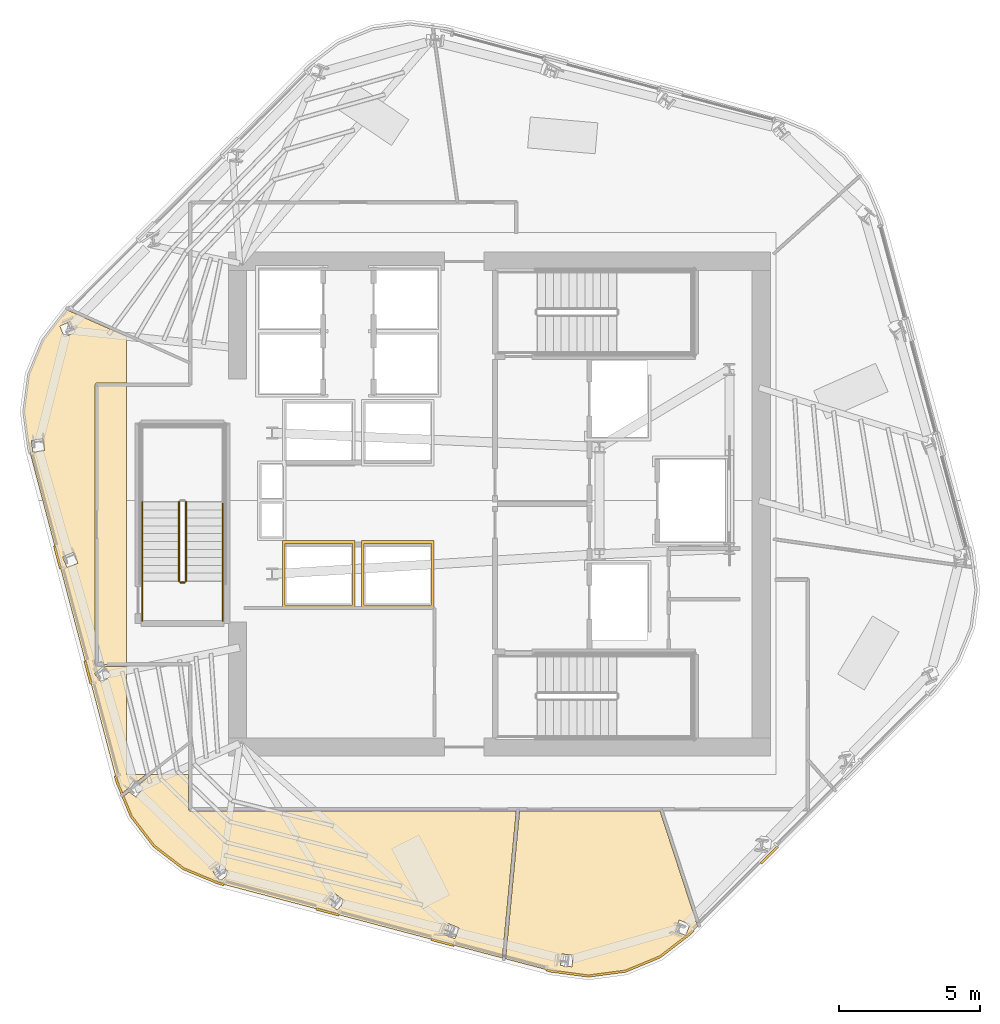
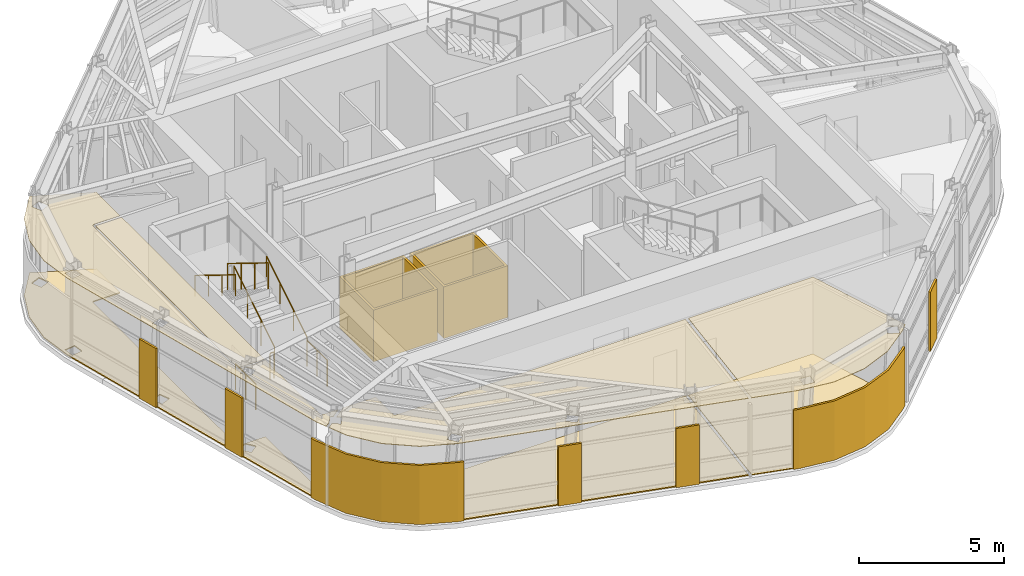
# One storey, part 9 of 13: 16 coverings, 7 railings.
"""IFC4 building model written with IfcOpenShell, lengths in metres."""

from ifc_helpers import new_model, si_unit, direction, frame, origin, origin_2d, place, context, subcontext, project, spatial, polyline, circle, outline, extrude, material, layer, layer_set, type_object, element, save


model = new_model("IFC4")

# Units and contexts
model_context = context("Model", 3, precision=1e-05, world=origin(), true_north=direction((0.0, 1.0)))
body_context = subcontext(model_context, "Body", "Model", "MODEL_VIEW")
ifc_project = project(units=[si_unit("LENGTHUNIT", "METRE"), si_unit("AREAUNIT", "SQUARE_METRE"), si_unit("VOLUMEUNIT", "CUBIC_METRE"), si_unit("PLANEANGLEUNIT", "RADIAN"), si_unit("MASSUNIT", "GRAM", prefix="KILO")], contexts=[model_context])

# Site, building, storey
site_placement = place(None, origin())
site = spatial("IfcSite", under=ifc_project, at=site_placement, CompositionType="ELEMENT")
building_placement = place(site_placement, origin())
building = spatial("IfcBuilding", under=site, at=building_placement, Name="Valkerne Bourse Tower", CompositionType="ELEMENT")
storey_placement = place(building_placement, frame((0.0, 0.0, 217.0)))
storey = spatial("IfcBuildingStorey", under=building, at=storey_placement, Name="L55", CompositionType="ELEMENT", Elevation=217.0)

# Coverings
ifc_material_1 = material(Name="Mineral Fiber Acoustic Ceiling Tile", Category="acoustic")
ifc_layer_1 = layer(ifc_material_1, 0.02490234375)
ifc_layer_set_1 = layer_set([ifc_layer_1], Name="Mineral Fiber Acoustic Ceiling Tile")
covering_type_1 = type_object("IfcCoveringType", Name="COV-CEIL-ACT", PredefinedType="CEILING", material=ifc_layer_set_1)
covering_1_placement = place(storey_placement, frame((0.0, 0.0, 3.25)))
element("IfcCovering", 1, at=covering_1_placement, inside=storey, type_object=covering_type_1, Name="L55 Suspended Ceiling 05", PredefinedType="CEILING", context=body_context, shape_type="SweptSolid", body=[
    extrude(outline(polyline([(51.2646484375, 10.33740234375), (49.956298828125, 10.165283203125), (48.638427734375, 10.3388671875), (47.020751953125, 10.7666015625), (47.5166015625, 16.010986328125), (52.4892578125, 16.010986328125), (53.822021484375, 11.933349609375), (53.538330078125, 11.651611328125), (52.48388671875, 10.842529296875), (51.2646484375, 10.33740234375)]), holes=[polyline([(49.42041015625, 10.894287109375), (49.010009765625, 10.94482421875), (49.0078125, 10.9443359375), (48.9580078125, 10.53564453125), (49.368408203125, 10.485107421875), (49.37060546875, 10.485595703125), (49.42041015625, 10.894287109375)]), polyline([(53.5537109375, 11.986328125), (53.1728515625, 12.141845703125), (53.170654296875, 12.140869140625), (53.01513671875, 11.75732421875), (53.396240234375, 11.601806640625), (53.3984375, 11.602783203125), (53.5537109375, 11.986328125)])]), origin(), (0.0, 0.0, 1.0), 0.02490234375),
])
covering_2_placement = place(storey_placement, frame((0.0, 0.0, 3.25)))
element("IfcCovering", 2, at=covering_2_placement, inside=storey, type_object=covering_type_1, Name="L55 Suspended Ceiling 07", PredefinedType="CEILING", context=body_context, shape_type="SweptSolid", body=[
    extrude(outline(polyline([(29.965087890625, 30.156494140625), (30.137451171875, 31.464599609375), (30.642578125, 32.683837890625), (31.472900390625, 33.759521484375), (33.60009765625, 32.8125), (33.60009765625, 31.1689453125), (32.54931640625, 31.1689453125), (32.50390625, 31.151611328125), (32.481689453125, 31.111083984375), (32.484619140625, 21.17724609375), (32.50927734375, 21.14404296875), (32.54931640625, 21.131103515625), (32.779296875, 21.131103515625), (32.455810546875, 20.87548828125), (32.45654296875, 20.873291015625), (32.7119140625, 20.551025390625), (33.037109375, 20.807861328125), (33.0361328125, 20.809814453125), (32.781982421875, 21.131103515625), (33.60009765625, 21.131103515625), (33.60009765625, 17.300048828125), (34.288818359375, 17.300048828125), (33.929443359375, 17.019287109375), (33.85107421875, 17.078369140625), (33.630615234375, 16.78564453125), (33.42919921875, 16.628662109375), (33.25732421875, 17.043701171875), (30.138916015625, 28.83837890625), (29.965087890625, 30.156494140625)]), holes=[polyline([(31.87158203125, 24.78564453125), (31.713623046875, 25.165283203125), (31.330810546875, 25.006591796875), (31.331298828125, 25.00439453125), (31.489013671875, 24.624755859375), (31.871826171875, 24.783447265625), (31.87158203125, 24.78564453125)]), polyline([(30.690185546875, 28.774169921875), (30.63330078125, 29.181396484375), (30.222900390625, 29.124755859375), (30.22265625, 29.122314453125), (30.279296875, 28.715087890625), (30.689697265625, 28.77197265625), (30.690185546875, 28.774169921875)]), polyline([(31.773193359375, 32.96435546875), (31.61083984375, 33.34521484375), (31.23193359375, 33.184814453125), (31.231201171875, 33.1826171875), (31.393310546875, 32.8017578125), (31.772216796875, 32.962158203125), (31.773193359375, 32.96435546875)])]), origin(), (0.0, 0.0, 1.0), 0.02490234375),
])
covering_3_placement = place(storey_placement, frame((0.0, 0.0, 3.25)))
element("IfcCovering", 3, at=covering_3_placement, inside=storey, type_object=covering_type_1, Name="L55 Suspended Ceiling 08", PredefinedType="CEILING", context=body_context, shape_type="SweptSolid", body=[
    extrude(outline(polyline([(34.569091796875, 14.769287109375), (33.765869140625, 15.81591796875), (33.476318359375, 16.515380859375), (33.6884765625, 16.681396484375), (33.931640625, 16.49853515625), (34.180908203125, 16.829345703125), (34.1796875, 16.831298828125), (34.027099609375, 16.94580078125), (34.48046875, 17.300048828125), (35.781005859375, 17.300048828125), (35.781005859375, 16.079345703125), (35.79833984375, 16.033935546875), (35.839111328125, 16.01171875), (47.39794921875, 16.010986328125), (46.905029296875, 10.797119140625), (36.84375, 13.457275390625), (35.615966796875, 13.9658203125), (34.569091796875, 14.769287109375)]), holes=[polyline([(44.9912109375, 12.017822265625), (44.989013671875, 12.01806640625), (44.837158203125, 11.63525390625), (45.221435546875, 11.482421875), (45.223876953125, 11.48193359375), (45.37548828125, 11.86474609375), (44.9912109375, 12.017822265625)]), polyline([(40.985595703125, 13.073974609375), (40.983642578125, 13.074951171875), (40.7333984375, 12.747802734375), (41.061767578125, 12.49609375), (41.063720703125, 12.495361328125), (41.31396484375, 12.822509765625), (40.985595703125, 13.073974609375)]), polyline([(36.9775390625, 14.109130859375), (36.9755859375, 14.110595703125), (36.650634765625, 13.857666015625), (36.904296875, 13.531005859375), (36.906005859375, 13.529541015625), (37.231201171875, 13.78271484375), (36.9775390625, 14.109130859375)])]), origin(), (0.0, 0.0, 1.0), 0.02490234375),
])
ifc_material_2 = material(Name="Bronze Anodised Aluminium AA 6063-T6", Category="aluminium")
ifc_layer_2 = layer(ifc_material_2, 0.030029296875)
ifc_layer_set_2 = layer_set([ifc_layer_2], Name="Bronze Anodised Aluminium AA 6063-T6")
covering_type_2 = type_object("IfcCoveringType", Name="COV-CEIL-METAL", PredefinedType="CEILING", material=ifc_layer_set_2)
covering_4_placement = place(storey_placement, frame((0.0, 0.0, 3.25)))
element("IfcCovering", 4, at=covering_4_placement, inside=storey, type_object=covering_type_2, Name="L55 Suspended Ceiling 02", PredefinedType="CEILING", context=body_context, shape_type="SweptSolid", body=[
    extrude(outline(polyline([(32.553955078125, 21.2041015625), (32.553955078125, 31.095947265625), (33.60009765625, 31.095947265625), (33.60009765625, 21.2041015625), (32.553955078125, 21.2041015625)])), origin(), (0.0, 0.0, 1.0), 0.02490234375),
])
ifc_layer_3 = layer(ifc_material_2, 0.06005859375)
ifc_layer_set_3 = layer_set([ifc_layer_3], Name="Bronze Anodised Aluminium AA 6063-T6")
covering_type_3 = type_object("IfcCoveringType", Name="COV-CRN-ALUM", PredefinedType="CLADDING", material=ifc_layer_set_3)
covering_5_placement = place(storey_placement, origin())
element("IfcCovering", 5, at=covering_5_placement, inside=storey, type_object=covering_type_3, Name="L55 Wind-Shaped Corner Aluminium Cladding 03", PredefinedType="CLADDING", context=body_context, shape_type="SweptSolid", body=[
    extrude(outline(polyline([(56.0966796875, 14.131103515625), (56.0400390625, 14.1875), (56.635986328125, 14.779541015625), (56.692626953125, 14.722900390625), (56.0966796875, 14.131103515625)])), origin(), (0.0, 0.0, 1.0), 2.5),
])
covering_6_placement = place(storey_placement, origin())
element("IfcCovering", 6, at=covering_6_placement, inside=storey, type_object=covering_type_3, Name="L55 Wind-Shaped Corner Aluminium Cladding 04", PredefinedType="CLADDING", context=body_context, shape_type="SweptSolid", body=[
    extrude(outline(polyline([(53.5673828125, 11.618408203125), (52.506103515625, 10.80419921875), (51.276123046875, 10.294677734375), (49.956298828125, 10.120849609375), (48.6298828125, 10.29541015625), (48.443359375, 10.344970703125), (48.464111328125, 10.422119140625), (48.6455078125, 10.374267578125), (49.956298828125, 10.20166015625), (51.25537109375, 10.37255859375), (52.465576171875, 10.873779296875), (53.5146484375, 11.6787109375), (53.64794921875, 11.81103515625), (53.70458984375, 11.75439453125), (53.5673828125, 11.618408203125)])), origin(), (0.0, 0.0, 1.0), 2.5),
])
covering_7_placement = place(storey_placement, origin())
element("IfcCovering", 7, at=covering_7_placement, inside=storey, type_object=covering_type_3, Name="L55 Wind-Shaped Corner Aluminium Cladding 05", PredefinedType="CLADDING", context=body_context, shape_type="SweptSolid", body=[
    extrude(outline(polyline([(44.37109375, 11.42138671875), (44.391845703125, 11.498779296875), (45.2041015625, 11.2841796875), (45.183349609375, 11.206787109375), (44.37109375, 11.42138671875)])), origin(), (0.0, 0.0, 1.0), 2.5),
])
covering_8_placement = place(storey_placement, origin())
element("IfcCovering", 8, at=covering_8_placement, inside=storey, type_object=covering_type_3, Name="L55 Wind-Shaped Corner Aluminium Cladding 06", PredefinedType="CLADDING", context=body_context, shape_type="SweptSolid", body=[
    extrude(outline(polyline([(40.299072265625, 12.498291015625), (40.31982421875, 12.575439453125), (41.1318359375, 12.36083984375), (41.111083984375, 12.283447265625), (40.299072265625, 12.498291015625)])), origin(), (0.0, 0.0, 1.0), 2.5),
])
covering_9_placement = place(storey_placement, origin())
element("IfcCovering", 9, at=covering_9_placement, inside=storey, type_object=covering_type_3, Name="L55 Wind-Shaped Corner Aluminium Cladding 07", PredefinedType="CLADDING", context=body_context, shape_type="SweptSolid", body=[
    extrude(outline(polyline([(36.82958984375, 13.41552734375), (35.59375, 13.927490234375), (34.537841796875, 14.73779296875), (33.727294921875, 15.793701171875), (33.215576171875, 17.02978515625), (33.16015625, 17.2392578125), (33.2373046875, 17.260009765625), (33.29150390625, 17.055419921875), (33.79736328125, 15.834228515625), (34.594970703125, 14.794921875), (35.63427734375, 13.997314453125), (36.855224609375, 13.491455078125), (37.059814453125, 13.4375), (37.039306640625, 13.360107421875), (36.82958984375, 13.41552734375)])), origin(), (0.0, 0.0, 1.0), 2.5),
])
covering_10_placement = place(storey_placement, origin())
element("IfcCovering", 10, at=covering_10_placement, inside=storey, type_object=covering_type_3, Name="L55 Wind-Shaped Corner Aluminium Cladding 08", PredefinedType="CLADDING", context=body_context, shape_type="SweptSolid", body=[
    extrude(outline(polyline([(32.08349609375, 21.311279296875), (32.160888671875, 21.331787109375), (32.37548828125, 20.519775390625), (32.298095703125, 20.4990234375), (32.08349609375, 21.311279296875)])), origin(), (0.0, 0.0, 1.0), 2.5),
])
covering_11_placement = place(storey_placement, origin())
element("IfcCovering", 11, at=covering_11_placement, inside=storey, type_object=covering_type_3, Name="L55 Wind-Shaped Corner Aluminium Cladding 09", PredefinedType="CLADDING", context=body_context, shape_type="SweptSolid", body=[
    extrude(outline(polyline([(31.0068359375, 25.38330078125), (31.083984375, 25.404052734375), (31.298828125, 24.591796875), (31.221435546875, 24.5712890625), (31.0068359375, 25.38330078125)])), origin(), (0.0, 0.0, 1.0), 2.5),
])
ifc_material_3 = material(Name="Galvanised Painted Steel", Category="steel")
ifc_layer_4 = layer(ifc_material_3, 0.044921875)
ifc_layer_set_4 = layer_set([ifc_layer_4], Name="Galvanised Painted Steel")
covering_type_4 = type_object("IfcCoveringType", Name="COV-FLR-RAF", PredefinedType="FLOORING", material=ifc_layer_set_4)
covering_12_placement = place(storey_placement, origin())
element("IfcCovering", 12, at=covering_12_placement, inside=storey, type_object=covering_type_4, Name="L55 Floor Finish 07", PredefinedType="FLOORING", context=body_context, shape_type="SweptSolid", body=[
    extrude(outline(polyline([(29.965087890625, 30.156494140625), (30.137451171875, 31.464599609375), (30.642578125, 32.683837890625), (31.472900390625, 33.759521484375), (33.60009765625, 32.8125), (33.60009765625, 31.1689453125), (32.54931640625, 31.1689453125), (32.50390625, 31.151611328125), (32.481689453125, 31.111083984375), (32.484619140625, 21.17724609375), (32.50927734375, 21.14404296875), (32.54931640625, 21.131103515625), (32.779296875, 21.131103515625), (32.455810546875, 20.87548828125), (32.45654296875, 20.873291015625), (32.7119140625, 20.551025390625), (33.037109375, 20.807861328125), (33.0361328125, 20.809814453125), (32.781982421875, 21.131103515625), (33.60009765625, 21.131103515625), (33.60009765625, 17.300048828125), (34.288818359375, 17.300048828125), (33.929443359375, 17.019287109375), (33.85107421875, 17.078369140625), (33.630615234375, 16.78564453125), (33.42919921875, 16.628662109375), (33.25732421875, 17.043701171875), (30.138916015625, 28.83837890625), (29.965087890625, 30.156494140625)]), holes=[polyline([(31.87158203125, 24.78564453125), (31.713623046875, 25.165283203125), (31.330810546875, 25.006591796875), (31.331298828125, 25.00439453125), (31.489013671875, 24.624755859375), (31.871826171875, 24.783447265625), (31.87158203125, 24.78564453125)]), polyline([(30.690185546875, 28.774169921875), (30.63330078125, 29.181396484375), (30.222900390625, 29.124755859375), (30.22265625, 29.122314453125), (30.279296875, 28.715087890625), (30.689697265625, 28.77197265625), (30.690185546875, 28.774169921875)]), polyline([(31.773193359375, 32.96435546875), (31.61083984375, 33.34521484375), (31.23193359375, 33.184814453125), (31.231201171875, 33.1826171875), (31.393310546875, 32.8017578125), (31.772216796875, 32.962158203125), (31.773193359375, 32.96435546875)])]), origin(), (0.0, 0.0, 1.0), 0.044921875),
])
covering_13_placement = place(storey_placement, origin())
element("IfcCovering", 13, at=covering_13_placement, inside=storey, type_object=covering_type_4, Name="L55 Floor Finish 08", PredefinedType="FLOORING", context=body_context, shape_type="SweptSolid", body=[
    extrude(outline(polyline([(34.569091796875, 14.769287109375), (33.765869140625, 15.81591796875), (33.476318359375, 16.515380859375), (33.6884765625, 16.681396484375), (33.931640625, 16.49853515625), (34.180908203125, 16.829345703125), (34.1796875, 16.831298828125), (34.027099609375, 16.94580078125), (34.48046875, 17.300048828125), (35.781005859375, 17.300048828125), (35.781005859375, 16.079345703125), (35.79833984375, 16.033935546875), (35.839111328125, 16.01171875), (47.39794921875, 16.010986328125), (46.905029296875, 10.797119140625), (36.84375, 13.457275390625), (35.615966796875, 13.9658203125), (34.569091796875, 14.769287109375)]), holes=[polyline([(44.9912109375, 12.017822265625), (44.989013671875, 12.01806640625), (44.837158203125, 11.63525390625), (45.221435546875, 11.482421875), (45.223876953125, 11.48193359375), (45.37548828125, 11.86474609375), (44.9912109375, 12.017822265625)]), polyline([(40.985595703125, 13.073974609375), (40.983642578125, 13.074951171875), (40.7333984375, 12.747802734375), (41.061767578125, 12.49609375), (41.063720703125, 12.495361328125), (41.31396484375, 12.822509765625), (40.985595703125, 13.073974609375)]), polyline([(36.9775390625, 14.109130859375), (36.9755859375, 14.110595703125), (36.650634765625, 13.857666015625), (36.904296875, 13.531005859375), (36.906005859375, 13.529541015625), (37.231201171875, 13.78271484375), (36.9775390625, 14.109130859375)])]), origin(), (0.0, 0.0, 1.0), 0.044921875),
])
ifc_material_4 = material(Name="Polished Granite Stone", Category="masonry")
ifc_layer_5 = layer(ifc_material_4, 0.030029296875)
ifc_layer_set_5 = layer_set([ifc_layer_5], Name="Polished Granite Stone")
covering_type_5 = type_object("IfcCoveringType", Name="COV-FLR-TERRAZZO", PredefinedType="FLOORING", material=ifc_layer_set_5)
covering_14_placement = place(storey_placement, origin())
element("IfcCovering", 14, at=covering_14_placement, inside=storey, type_object=covering_type_5, Name="L55 Floor Finish 05", PredefinedType="FLOORING", context=body_context, shape_type="SweptSolid", body=[
    extrude(outline(polyline([(51.2646484375, 10.33740234375), (49.956298828125, 10.165283203125), (48.638427734375, 10.3388671875), (47.020751953125, 10.7666015625), (47.5166015625, 16.010986328125), (52.4892578125, 16.010986328125), (53.822021484375, 11.933349609375), (53.538330078125, 11.651611328125), (52.48388671875, 10.842529296875), (51.2646484375, 10.33740234375)]), holes=[polyline([(49.42041015625, 10.894287109375), (49.010009765625, 10.94482421875), (49.0078125, 10.9443359375), (48.9580078125, 10.53564453125), (49.368408203125, 10.485107421875), (49.37060546875, 10.485595703125), (49.42041015625, 10.894287109375)]), polyline([(53.5537109375, 11.986328125), (53.1728515625, 12.141845703125), (53.170654296875, 12.140869140625), (53.01513671875, 11.75732421875), (53.396240234375, 11.601806640625), (53.3984375, 11.602783203125), (53.5537109375, 11.986328125)])]), origin(), (0.0, 0.0, 1.0), 0.030029296875),
])
ifc_material_5 = material(Name="Gypsum Shaftwall Liner Board", Category="gypsum")
ifc_layer_6 = layer(ifc_material_5, 0.080078125)
ifc_layer_set_6 = layer_set([ifc_layer_6], Name="Gypsum Shaftwall Liner Board")
covering_type_6 = type_object("IfcCoveringType", Name="COV-SHF-CLAD", PredefinedType="CLADDING", material=ifc_layer_set_6)
covering_15_placement = place(storey_placement, origin())
element("IfcCovering", 15, at=covering_15_placement, inside=storey, type_object=covering_type_6, Name="L55 Hoistway & Riser Shaftwall Liner 01", PredefinedType="CLADDING", context=body_context, shape_type="SweptSolid", body=[
    extrude(outline(polyline([(41.679931640625, 25.580078125), (41.679931640625, 23.219970703125), (39.1201171875, 23.219970703125), (39.1201171875, 25.580078125), (41.679931640625, 25.580078125)]), holes=[polyline([(41.590087890625, 25.489990234375), (39.2099609375, 25.489990234375), (39.2099609375, 23.31005859375), (41.590087890625, 23.31005859375), (41.590087890625, 25.489990234375)])]), origin(), (0.0, 0.0, 1.0), 2.179931640625),
])
covering_16_placement = place(storey_placement, origin())
element("IfcCovering", 16, at=covering_16_placement, inside=storey, type_object=covering_type_6, Name="L55 Hoistway & Riser Shaftwall Liner 02", PredefinedType="CLADDING", context=body_context, shape_type="SweptSolid", body=[
    extrude(outline(polyline([(44.47998046875, 23.219970703125), (41.919921875, 23.219970703125), (41.919921875, 25.580078125), (44.47998046875, 25.580078125), (44.47998046875, 23.219970703125)]), holes=[polyline([(42.010009765625, 25.489990234375), (42.010009765625, 23.31005859375), (44.389892578125, 23.31005859375), (44.389892578125, 25.489990234375), (42.010009765625, 25.489990234375)])]), origin(), (0.0, 0.0, 1.0), 2.179931640625),
])

# Railings
railing_type_1 = type_object("IfcRailingType", Name="RLG-ST-GUARD-1120", PredefinedType="GUARDRAIL", material=ifc_material_3)
railing_1_placement = place(storey_placement, frame((35.699951171875, 24.14990234375, 0.172607421875)))
element("IfcRailing", 17, at=railing_1_placement, inside=storey, type_object=railing_type_1, Name="L55 ST-3 stair guard 1", PredefinedType="GUARDRAIL", context=body_context, shape_type="SweptSolid", body=[
    extrude(circle(Radius=0.02392578125, at=origin_2d()), frame((0.0, 0.0, 1.09619140625), z_axis=(0.0, 0.851089632645, 0.525020415988), x_axis=(-1.0, 0.0, 0.0)), (0.0, 0.0, 1.0), 3.2900390625),
    extrude(circle(Radius=0.02099609375, at=origin_2d()), origin(), (0.0, 0.0, 1.0), 1.072021484375),
    extrude(circle(Radius=0.02099609375, at=origin_2d()), frame((0.0, 0.933349609375, 0.57568359375)), (0.0, 0.0, 1.0), 1.072021484375),
    extrude(circle(Radius=0.02099609375, at=origin_2d()), frame((0.0, 1.86669921875, 1.151611328125)), (0.0, 0.0, 1.0), 1.072021484375),
    extrude(circle(Radius=0.02099609375, at=origin_2d()), frame((0.0, 2.800048828125, 1.727294921875)), (0.0, 0.0, 1.0), 1.072021484375),
])
railing_2_placement = place(storey_placement, frame((35.449951171875, 26.949951171875, 2.07275390625)))
element("IfcRailing", 18, at=railing_2_placement, inside=storey, type_object=railing_type_1, Name="L55 ST-3 stair guard 6", PredefinedType="GUARDRAIL", context=body_context, shape_type="SweptSolid", body=[
    extrude(circle(Radius=0.02392578125, at=origin_2d()), frame((0.0, 0.0, 1.09619140625), z_axis=(0.0, -0.851089632645, 0.525020415988), x_axis=(1.0, 0.0, 0.0)), (0.0, 0.0, 1.0), 3.2900390625),
    extrude(circle(Radius=0.02099609375, at=origin_2d()), origin(), (0.0, 0.0, 1.0), 1.072021484375),
    extrude(circle(Radius=0.02099609375, at=origin_2d()), frame((0.0, -0.933349609375, 0.57568359375)), (0.0, 0.0, 1.0), 1.072021484375),
    extrude(circle(Radius=0.02099609375, at=origin_2d()), frame((0.0, -1.86669921875, 1.151611328125)), (0.0, 0.0, 1.0), 1.072021484375),
    extrude(circle(Radius=0.02099609375, at=origin_2d()), frame((0.0, -2.800048828125, 1.727294921875)), (0.0, 0.0, 1.0), 1.072021484375),
])
railing_3_placement = place(storey_placement, frame((35.64990234375, 24.10009765625, 0.0)))
element("IfcRailing", 19, at=railing_3_placement, inside=storey, type_object=railing_type_1, Name="L55 ST-3 stair guard 7", PredefinedType="GUARDRAIL", context=body_context, shape_type="SweptSolid", body=[
    extrude(circle(Radius=0.02392578125, at=origin_2d()), frame((0.0, 0.0, 1.09619140625), z_axis=(-1.0, 0.0, 0.0), x_axis=(0.0, -1.0, 0.0)), (0.0, 0.0, 1.0), 0.14990234375),
    extrude(circle(Radius=0.02099609375, at=origin_2d()), origin(), (0.0, 0.0, 1.0), 1.072021484375),
    extrude(circle(Radius=0.02099609375, at=origin_2d()), frame((-0.14990234375, 0.0, 0.0)), (0.0, 0.0, 1.0), 1.072021484375),
])
for number, where, name in (
    (20, (37.0, 22.75, 0.0), "L55 ST-3 stair guard 8"),
    (21, (34.14990234375, 22.75, 0.0), "L55 ST-3 stair guard 9"),
):
    element("IfcRailing", number, at=place(storey_placement, frame(where)), inside=storey, type_object=railing_type_1, Name=name, PredefinedType="GUARDRAIL", context=body_context, shape_type="SweptSolid", body=[
        extrude(circle(Radius=0.02392578125, at=origin_2d()), frame((0.0, 0.0, 1.09619140625), z_axis=(0.0, 1.0, 0.0), x_axis=(-1.0, 0.0, 0.0)), (0.0, 0.0, 1.0), 1.39990234375),
        extrude(circle(Radius=0.02099609375, at=origin_2d()), origin(), (0.0, 0.0, 1.0), 1.072021484375),
        extrude(circle(Radius=0.02099609375, at=origin_2d()), frame((0.0, 0.699951171875, 0.0)), (0.0, 0.0, 1.0), 1.072021484375),
        extrude(circle(Radius=0.02099609375, at=origin_2d()), frame((0.0, 1.39990234375, 0.0)), (0.0, 0.0, 1.0), 1.072021484375),
    ])
ifc_material_6 = material(Name="Stainless Steel AISI 316", Category="steel")
railing_type_2 = type_object("IfcRailingType", Name="RLG-ST-HANDRAIL-900", PredefinedType="HANDRAIL", material=ifc_material_6)
railing_4_placement = place(storey_placement, frame((37.0, 24.14990234375, 0.345458984375)))
element("IfcRailing", 22, at=railing_4_placement, inside=storey, type_object=railing_type_2, Name="L55 ST-3 stair handrail 1", PredefinedType="HANDRAIL", context=body_context, shape_type="SweptSolid", body=[
    extrude(circle(Radius=0.02392578125, at=origin_2d()), frame((0.0, 0.0, 0.8759765625), z_axis=(0.0, 0.851089632645, 0.525020415988), x_axis=(-1.0, 0.0, 0.0)), (0.0, 0.0, 1.0), 3.2900390625),
    extrude(circle(Radius=0.02099609375, at=origin_2d()), origin(), (0.0, 0.0, 1.0), 0.851806640625),
    extrude(circle(Radius=0.02099609375, at=origin_2d()), frame((0.0, 0.933349609375, 0.57568359375)), (0.0, 0.0, 1.0), 0.851806640625),
    extrude(circle(Radius=0.02099609375, at=origin_2d()), frame((0.0, 1.86669921875, 1.151611328125)), (0.0, 0.0, 1.0), 0.851806640625),
    extrude(circle(Radius=0.02099609375, at=origin_2d()), frame((0.0, 2.800048828125, 1.727294921875)), (0.0, 0.0, 1.0), 0.851806640625),
])
railing_5_placement = place(storey_placement, frame((34.14990234375, 26.949951171875, 2.245361328125)))
element("IfcRailing", 23, at=railing_5_placement, inside=storey, type_object=railing_type_2, Name="L55 ST-3 stair handrail 2", PredefinedType="HANDRAIL", context=body_context, shape_type="SweptSolid", body=[
    extrude(circle(Radius=0.02392578125, at=origin_2d()), frame((0.0, 0.0, 0.8759765625), z_axis=(0.0, -0.851089632645, 0.525020415988), x_axis=(1.0, 0.0, 0.0)), (0.0, 0.0, 1.0), 3.2900390625),
    extrude(circle(Radius=0.02099609375, at=origin_2d()), origin(), (0.0, 0.0, 1.0), 0.851806640625),
    extrude(circle(Radius=0.02099609375, at=origin_2d()), frame((0.0, -0.933349609375, 0.57568359375)), (0.0, 0.0, 1.0), 0.851806640625),
    extrude(circle(Radius=0.02099609375, at=origin_2d()), frame((0.0, -1.86669921875, 1.151611328125)), (0.0, 0.0, 1.0), 0.851806640625),
    extrude(circle(Radius=0.02099609375, at=origin_2d()), frame((0.0, -2.800048828125, 1.727294921875)), (0.0, 0.0, 1.0), 0.851806640625),
])

save(model, "model.ifc")
